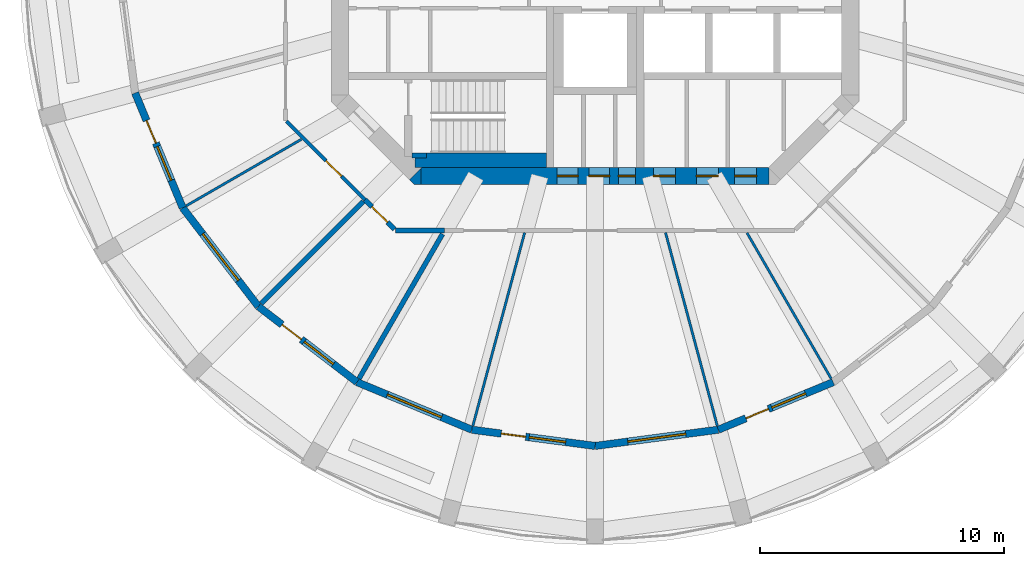
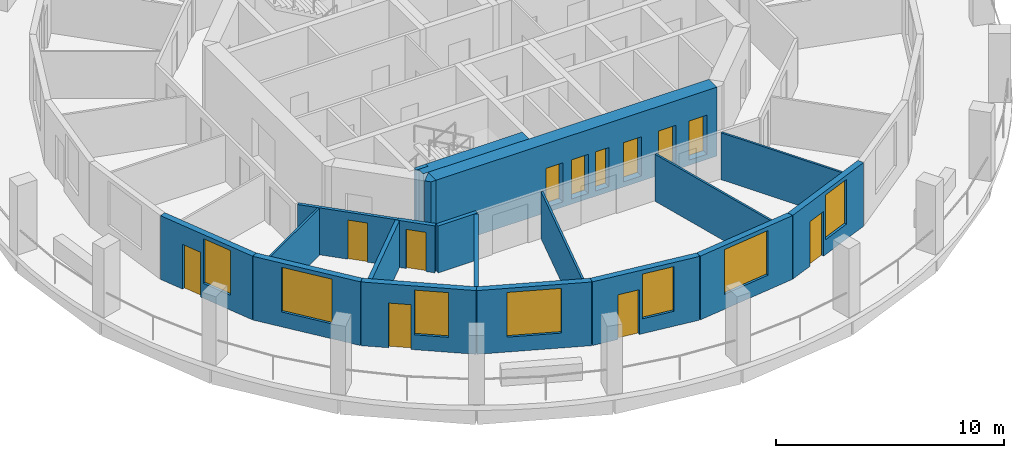
# One storey, part 2 of 9: 20 walls, 12 doors, 7 windows, 19 openings.
"""IFC4 building model written with IfcOpenShell, lengths in metres."""

from ifc_helpers import new_model, si_unit, direction, frame, frame_2d, origin, place, context, subcontext, project, spatial, polyline, rectangle, outline, extrude, material, layer, layer_set, type_object, element, fill, save


model = new_model("IFC4")

# Units and contexts
model_context = context("Model", 3, precision=1e-05, world=origin(), true_north=direction((0.0, 1.0)))
body_context = subcontext(model_context, "Body", "Model", "MODEL_VIEW")
ifc_project = project(units=[si_unit("LENGTHUNIT", "METRE"), si_unit("AREAUNIT", "SQUARE_METRE"), si_unit("VOLUMEUNIT", "CUBIC_METRE"), si_unit("PLANEANGLEUNIT", "RADIAN"), si_unit("MASSUNIT", "GRAM", prefix="KILO")], contexts=[model_context])

# Site, building, storey
site_placement = place(None, origin())
site = spatial("IfcSite", under=ifc_project, at=site_placement, CompositionType="ELEMENT")
building_placement = place(site_placement, origin())
building = spatial("IfcBuilding", under=site, at=building_placement, Name="Torre Triforio", CompositionType="ELEMENT")
storey_placement = place(building_placement, frame((0.0, 0.0, 215.0)))
storey = spatial("IfcBuildingStorey", under=building, at=storey_placement, Name="L49", CompositionType="ELEMENT", Elevation=215.0)

# Wall, openings, doors
ifc_material_1 = material(Name="Concrete C50", Category="concrete")
ifc_layer_1 = layer(ifc_material_1, 0.699951171875)
ifc_layer_set_1 = layer_set([ifc_layer_1], Name="Concrete C50")
wall_type_1 = type_object("IfcWallType", Name="Core wall 700 mm C50 EI 120", PredefinedType="SHEAR", material=ifc_layer_set_1)
wall_1_placement = place(storey_placement, frame((-7.1298828125, -8.449951171875, -0.280029296875), z_axis=(0.0, 0.0, 1.0), x_axis=(1.0, 0.0, 0.0)))
wall_1 = element("IfcWall", 1, at=wall_1_placement, inside=storey, type_object=wall_type_1, Name="Core wall", PredefinedType="SHEAR", context=body_context, shape_type="SweptSolid", body=[
    extrude(rectangle(XDim=14.259765625, YDim=0.699951171875, at=frame_2d((7.1298828125, 0.0))), origin(), (0.0, 0.0, 1.0), 3.699951171875),
])
opening_1_placement = place(wall_1_placement, frame((8.080078125, 0.0, 0.280029296875)))
opening_1 = element("IfcOpeningElement", 2, at=opening_1_placement, cuts=wall_1, Name="Opening RISER-S", PredefinedType="OPENING", context=body_context, shape_type="SweptSolid", body=[
    extrude(rectangle(XDim=0.699951171875, YDim=2.10009765625, at=frame_2d((0.35009765625, 1.050048828125))), frame((0.0, 0.35986328125, 0.0), z_axis=(0.0, -1.0, 0.0), x_axis=(1.0, 0.0, 0.0)), (0.0, 0.0, 1.0), 0.719970703125),
])
opening_2_placement = place(wall_1_placement, frame((5.580078125, 0.0, 0.280029296875)))
opening_2 = element("IfcOpeningElement", 3, at=opening_2_placement, cuts=wall_1, Name="Opening SW-01A", PredefinedType="OPENING", context=body_context, shape_type="SweptSolid", body=[
    extrude(rectangle(XDim=0.85009765625, YDim=2.10009765625, at=frame_2d((0.425048828125, 1.050048828125))), frame((0.0, 0.35986328125, 0.0), z_axis=(0.0, -1.0, 0.0), x_axis=(1.0, 0.0, 0.0)), (0.0, 0.0, 1.0), 0.719970703125),
])
opening_3_placement = place(wall_1_placement, frame((6.8798828125, 0.0, 0.280029296875)))
opening_3 = element("IfcOpeningElement", 4, at=opening_3_placement, cuts=wall_1, Name="Opening SW-02", PredefinedType="OPENING", context=body_context, shape_type="SweptSolid", body=[
    extrude(rectangle(XDim=0.85009765625, YDim=2.10009765625, at=frame_2d((0.425048828125, 1.050048828125))), frame((0.0, 0.35986328125, 0.0), z_axis=(0.0, -1.0, 0.0), x_axis=(1.0, 0.0, 0.0)), (0.0, 0.0, 1.0), 0.719970703125),
])
opening_4_placement = place(wall_1_placement, frame((9.521484375, 0.0, 0.280029296875)))
opening_4 = element("IfcOpeningElement", 5, at=opening_4_placement, cuts=wall_1, Name="Opening SE-01", PredefinedType="OPENING", context=body_context, shape_type="SweptSolid", body=[
    extrude(rectangle(XDim=0.89990234375, YDim=2.10009765625, at=frame_2d((0.449951171875, 1.050048828125))), frame((0.0, 0.35986328125, 0.0), z_axis=(0.0, -1.0, 0.0), x_axis=(1.0, 0.0, 0.0)), (0.0, 0.0, 1.0), 0.719970703125),
])
opening_5_placement = place(wall_1_placement, frame((11.278076171875, 0.0, 0.280029296875)))
opening_5 = element("IfcOpeningElement", 6, at=opening_5_placement, cuts=wall_1, Name="Opening SE-02", PredefinedType="OPENING", context=body_context, shape_type="SweptSolid", body=[
    extrude(rectangle(XDim=0.89990234375, YDim=2.10009765625, at=frame_2d((0.449951171875, 1.050048828125))), frame((0.0, 0.35986328125, 0.0), z_axis=(0.0, -1.0, 0.0), x_axis=(1.0, 0.0, 0.0)), (0.0, 0.0, 1.0), 0.719970703125),
])
opening_6_placement = place(wall_1_placement, frame((12.840087890625, 0.0, 0.280029296875)))
opening_6 = element("IfcOpeningElement", 7, at=opening_6_placement, cuts=wall_1, Name="Opening SE-03", PredefinedType="OPENING", context=body_context, shape_type="SweptSolid", body=[
    extrude(rectangle(XDim=0.89990234375, YDim=2.10009765625, at=frame_2d((0.449951171875, 1.050048828125))), frame((0.0, 0.35986328125, 0.0), z_axis=(0.0, -1.0, 0.0), x_axis=(1.0, 0.0, 0.0)), (0.0, 0.0, 1.0), 0.719970703125),
])
ifc_material_2 = material(Name="Hollow metal fire door leaf")
door_type_1 = type_object("IfcDoorType", Name="Plant room door 900 x 2100 EI 60", OperationType="NOTDEFINED", PredefinedType="DOOR", material=ifc_material_2)
door_1_placement = place(opening_4_placement, origin())
door_1 = element("IfcDoor", 8, at=door_1_placement, inside=storey, type_object=door_type_1, Name="Core door SE-01", OperationType="SINGLE_SWING_LEFT", OverallHeight=2.10009765625, OverallWidth=0.89990234375, PredefinedType="DOOR", context=body_context, shape_type="SweptSolid", body=[
    extrude(rectangle(XDim=0.89990234375, YDim=2.10009765625, at=frame_2d((0.449951171875, 1.050048828125))), frame((0.0, 0.02490234375, 0.0), z_axis=(0.0, -1.0, 0.0), x_axis=(1.0, 0.0, 0.0)), (0.0, 0.0, 1.0), 0.050048828125),
])
fill(opening_4, door_1)
door_type_2 = type_object("IfcDoorType", Name="Riser door 700 x 2100 EI 60", OperationType="NOTDEFINED", PredefinedType="DOOR", material=ifc_material_2)
door_2_placement = place(opening_1_placement, origin())
door_2 = element("IfcDoor", 9, at=door_2_placement, inside=storey, type_object=door_type_2, Name="Core door RISER-S", OperationType="SINGLE_SWING_RIGHT", OverallHeight=2.10009765625, OverallWidth=0.699951171875, PredefinedType="DOOR", context=body_context, shape_type="SweptSolid", body=[
    extrude(rectangle(XDim=0.699951171875, YDim=2.10009765625, at=frame_2d((0.35009765625, 1.050048828125))), frame((0.0, 0.02490234375, 0.0), z_axis=(0.0, -1.0, 0.0), x_axis=(1.0, 0.0, 0.0)), (0.0, 0.0, 1.0), 0.050048828125),
])
fill(opening_1, door_2)
door_type_3 = type_object("IfcDoorType", Name="Room door 850 x 2100 EI 60", OperationType="NOTDEFINED", PredefinedType="DOOR", material=ifc_material_2)
door_3_placement = place(opening_2_placement, origin())
door_3 = element("IfcDoor", 10, at=door_3_placement, inside=storey, type_object=door_type_3, Name="Core door SW-01", OperationType="SINGLE_SWING_RIGHT", OverallHeight=2.10009765625, OverallWidth=0.85009765625, PredefinedType="DOOR", context=body_context, shape_type="SweptSolid", body=[
    extrude(rectangle(XDim=0.85009765625, YDim=2.10009765625, at=frame_2d((0.425048828125, 1.050048828125))), frame((0.0, 0.02490234375, 0.0), z_axis=(0.0, -1.0, 0.0), x_axis=(1.0, 0.0, 0.0)), (0.0, 0.0, 1.0), 0.050048828125),
])
fill(opening_2, door_3)
door_4_placement = place(opening_3_placement, origin())
door_4 = element("IfcDoor", 11, at=door_4_placement, inside=storey, type_object=door_type_3, Name="Core door SW-02", OperationType="SINGLE_SWING_LEFT", OverallHeight=2.10009765625, OverallWidth=0.85009765625, PredefinedType="DOOR", context=body_context, shape_type="SweptSolid", body=[
    extrude(rectangle(XDim=0.85009765625, YDim=2.10009765625, at=frame_2d((0.425048828125, 1.050048828125))), frame((0.0, 0.02490234375, 0.0), z_axis=(0.0, -1.0, 0.0), x_axis=(1.0, 0.0, 0.0)), (0.0, 0.0, 1.0), 0.050048828125),
])
fill(opening_3, door_4)
door_type_4 = type_object("IfcDoorType", Name="Room door 900 x 2100 EI 60", OperationType="NOTDEFINED", PredefinedType="DOOR", material=ifc_material_2)
door_5_placement = place(opening_5_placement, origin())
door_5 = element("IfcDoor", 12, at=door_5_placement, inside=storey, type_object=door_type_4, Name="Core door SE-02", OperationType="SINGLE_SWING_LEFT", OverallHeight=2.10009765625, OverallWidth=0.89990234375, PredefinedType="DOOR", context=body_context, shape_type="SweptSolid", body=[
    extrude(rectangle(XDim=0.89990234375, YDim=2.10009765625, at=frame_2d((0.449951171875, 1.050048828125))), frame((0.0, 0.02490234375, 0.0), z_axis=(0.0, -1.0, 0.0), x_axis=(1.0, 0.0, 0.0)), (0.0, 0.0, 1.0), 0.050048828125),
])
fill(opening_5, door_5)
door_6_placement = place(opening_6_placement, origin())
door_6 = element("IfcDoor", 13, at=door_6_placement, inside=storey, type_object=door_type_4, Name="Core door SE-03", OperationType="SINGLE_SWING_LEFT", OverallHeight=2.10009765625, OverallWidth=0.89990234375, PredefinedType="DOOR", context=body_context, shape_type="SweptSolid", body=[
    extrude(rectangle(XDim=0.89990234375, YDim=2.10009765625, at=frame_2d((0.449951171875, 1.050048828125))), frame((0.0, 0.02490234375, 0.0), z_axis=(0.0, -1.0, 0.0), x_axis=(1.0, 0.0, 0.0)), (0.0, 0.0, 1.0), 0.050048828125),
])
fill(opening_6, door_6)

# Wall
wall_2_placement = place(storey_placement, frame((0.0, 0.0, -0.280029296875)))
element("IfcWall", 14, at=wall_2_placement, inside=storey, type_object=wall_type_1, Name="Core wall", PredefinedType="SHEAR", context=body_context, shape_type="SweptSolid", body=[
    extrude(outline(polyline([(-7.389892578125, -8.800048828125), (-7.594970703125, -8.594970703125), (-7.594970703125, -8.594970703125), (-7.594970703125, -8.594970703125), (-7.1298828125, -8.1298828125), (-7.1298828125, -8.800048828125), (-7.1298828125, -8.800048828125), (-7.389892578125, -8.800048828125)])), origin(), (0.0, 0.0, 1.0), 3.699951171875),
])

# Wall, opening, door
ifc_material_3 = material(Name="Plasterboard on metal studs")
ifc_layer_2 = layer(ifc_material_3, 0.14990234375)
ifc_layer_set_2 = layer_set([ifc_layer_2], Name="Plasterboard on metal studs")
wall_type_2 = type_object("IfcWallType", Name="Corridor and tenancy wall 150 mm EI 60", PredefinedType="PARTITIONING", material=ifc_layer_set_2)
wall_3_placement = place(storey_placement, frame((-9.4208984375, -9.4208984375, 0.0), z_axis=(0.0, 0.0, 1.0), x_axis=(-0.707079950597, 0.707133610758, 0.0)))
wall_3 = element("IfcWall", 15, at=wall_3_placement, inside=storey, type_object=wall_type_2, Name="Partition 5", PredefinedType="PARTITIONING", context=body_context, shape_type="SweptSolid", body=[
    extrude(rectangle(XDim=4.5498046875, YDim=0.14990234375, at=frame_2d((2.27490234375, 0.0))), origin(), (0.0, 0.0, 1.0), 2.52001953125),
])
opening_7_placement = place(wall_3_placement, frame((1.36083984375, 0.0, 0.0)))
opening_7 = element("IfcOpeningElement", 16, at=opening_7_placement, cuts=wall_3, Name="Opening O6-15", PredefinedType="OPENING", context=body_context, shape_type="SweptSolid", body=[
    extrude(rectangle(XDim=0.89990234375, YDim=2.10009765625, at=frame_2d((0.449951171875, 1.050048828125))), frame((0.0, 0.0849609375, 0.0), z_axis=(0.0, -1.0, 0.0), x_axis=(1.0, 0.0, 0.0)), (0.0, 0.0, 1.0), 0.169921875),
])
ifc_material_4 = material(Name="Timber", Category="wood")
door_type_5 = type_object("IfcDoorType", Name="Door 900 x 2100 single leaf EI 30", OperationType="NOTDEFINED", PredefinedType="DOOR", material=ifc_material_4)
door_7_placement = place(opening_7_placement, origin())
door_7 = element("IfcDoor", 17, at=door_7_placement, inside=storey, type_object=door_type_5, Name="Door O6-15", OperationType="SINGLE_SWING_LEFT", OverallHeight=2.10009765625, OverallWidth=0.89990234375, PredefinedType="DOOR", context=body_context, shape_type="SweptSolid", body=[
    extrude(rectangle(XDim=0.89990234375, YDim=2.10009765625, at=frame_2d((0.449951171875, 1.050048828125))), frame((0.0, 0.02490234375, 0.0), z_axis=(0.0, -1.0, 0.0), x_axis=(1.0, 0.0, 0.0)), (0.0, 0.0, 1.0), 0.050048828125),
])
fill(opening_7, door_7)

# Walls
ifc_layer_3 = layer(ifc_material_3, 0.10009765625)
ifc_layer_set_3 = layer_set([ifc_layer_3], Name="Plasterboard on metal studs")
wall_type_3 = type_object("IfcWallType", Name="Partition 100 mm board on metal studs", PredefinedType="PARTITIONING", material=ifc_layer_set_3)
wall_4_placement = place(storey_placement, frame((-12.025146484375, -6.94287109375, 0.0), z_axis=(0.0, 0.0, 1.0), x_axis=(-0.866029712004, -0.499992537871, 0.0)))
element("IfcWall", 18, at=wall_4_placement, inside=storey, type_object=wall_type_3, Name="Partition 20", PredefinedType="PARTITIONING", context=body_context, shape_type="SweptSolid", body=[
    extrude(rectangle(XDim=5.451171875, YDim=0.10009765625, at=frame_2d((2.7255859375, 0.0))), origin(), (0.0, 0.0, 1.0), 2.52001953125),
])
for number, where, z_axis, x_axis, name in (
    (19, (-2.88427734375, -10.764404296875, 0.0), (0.0, 0.0, 1.0), (-0.258818011497, -0.965926103242, 0.0), "Partition 23"),
    (20, (2.88427734375, -10.764404296875, 0.0), (0.0, 0.0, 1.0), (0.258818011497, -0.965926103242, 0.0), "Partition 24"),
):
    element("IfcWall", number, at=place(storey_placement, frame(where, z_axis=z_axis, x_axis=x_axis)), inside=storey, type_object=wall_type_3, Name=name, PredefinedType="PARTITIONING", context=body_context, shape_type="SweptSolid", body=[
        extrude(rectangle(XDim=8.1923828125, YDim=0.10009765625, at=frame_2d((4.09619140625, 0.0))), origin(), (0.0, 0.0, 1.0), 2.52001953125),
    ])
wall_5_placement = place(storey_placement, frame((6.220703125, -10.774658203125, 0.0), z_axis=(0.0, 0.0, 1.0), x_axis=(0.500015661236, -0.866016361577, 0.0)))
element("IfcWall", 21, at=wall_5_placement, inside=storey, type_object=wall_type_3, Name="Partition 25", PredefinedType="PARTITIONING", context=body_context, shape_type="SweptSolid", body=[
    extrude(rectangle(XDim=6.895263671875, YDim=0.10009765625, at=frame_2d((3.44775390625, 0.0))), origin(), (0.0, 0.0, 1.0), 2.52001953125),
])
ifc_material_5 = material(Name="Masonry block", Category="masonry")
ifc_layer_4 = layer(ifc_material_5, 0.199951171875)
ifc_layer_set_4 = layer_set([ifc_layer_4], Name="Masonry block")
wall_type_4 = type_object("IfcWallType", Name="Plant room wall 200 mm block EI 120", PredefinedType="PARTITIONING", material=ifc_layer_set_4)
wall_6_placement = place(storey_placement, frame((-6.1630859375, -10.675048828125, 0.0), z_axis=(0.0, 0.0, 1.0), x_axis=(-1.0, 0.0, 0.0)))
element("IfcWall", 22, at=wall_6_placement, inside=storey, type_object=wall_type_4, Name="Partition 3", PredefinedType="PARTITIONING", context=body_context, shape_type="SweptSolid", body=[
    extrude(rectangle(XDim=2.00341796875, YDim=0.199951171875, at=frame_2d((1.001708984375, 0.0))), origin(), (0.0, 0.0, 1.0), 2.52001953125),
])

# Wall, opening, door
wall_7_placement = place(storey_placement, frame((-8.216064453125, -10.62548828125, 0.0), z_axis=(0.0, 0.0, 1.0), x_axis=(-0.70717842684, 0.707035128273, 0.0)))
wall_7 = element("IfcWall", 23, at=wall_7_placement, inside=storey, type_object=wall_type_4, Name="Partition 4", PredefinedType="PARTITIONING", context=body_context, shape_type="SweptSolid", body=[
    extrude(rectangle(XDim=1.70361328125, YDim=0.199951171875, at=frame_2d((0.851806640625, 0.0))), origin(), (0.0, 0.0, 1.0), 2.52001953125),
])
opening_8_placement = place(wall_7_placement, frame((0.40185546875, 0.0, 0.0)))
opening_8 = element("IfcOpeningElement", 24, at=opening_8_placement, cuts=wall_7, Name="Opening O6-16", PredefinedType="OPENING", context=body_context, shape_type="SweptSolid", body=[
    extrude(rectangle(XDim=0.89990234375, YDim=2.10009765625, at=frame_2d((0.449951171875, 1.050048828125))), frame((0.0, 0.10986328125, 0.0), z_axis=(0.0, -1.0, 0.0), x_axis=(1.0, 0.0, 0.0)), (0.0, 0.0, 1.0), 0.219970703125),
])
door_type_6 = type_object("IfcDoorType", Name="Door 900 x 2100 single leaf EI 60", OperationType="NOTDEFINED", PredefinedType="DOOR", material=ifc_material_2)
door_8_placement = place(opening_8_placement, origin())
door_8 = element("IfcDoor", 25, at=door_8_placement, inside=storey, type_object=door_type_6, Name="Door O6-16", OperationType="SINGLE_SWING_LEFT", OverallHeight=2.10009765625, OverallWidth=0.89990234375, PredefinedType="DOOR", context=body_context, shape_type="SweptSolid", body=[
    extrude(rectangle(XDim=0.89990234375, YDim=2.10009765625, at=frame_2d((0.449951171875, 1.050048828125))), frame((0.0, 0.02490234375, 0.0), z_axis=(0.0, -1.0, 0.0), x_axis=(1.0, 0.0, 0.0)), (0.0, 0.0, 1.0), 0.050048828125),
])
fill(opening_8, door_8)

# Walls
wall_8_placement = place(storey_placement, frame((-9.491455078125, -9.491455078125, 0.0), z_axis=(0.0, 0.0, 1.0), x_axis=(-0.707106781187, -0.707106781187, 0.0)))
element("IfcWall", 26, at=wall_8_placement, inside=storey, type_object=wall_type_4, Name="Partition 21", PredefinedType="PARTITIONING", context=body_context, shape_type="SweptSolid", body=[
    extrude(rectangle(XDim=5.913818359375, YDim=0.199951171875, at=frame_2d((2.95703125, 0.0))), origin(), (0.0, 0.0, 1.0), 2.52001953125),
])
wall_9_placement = place(storey_placement, frame((-6.24951171875, -10.824462890625, 0.0), z_axis=(0.0, 0.0, 1.0), x_axis=(-0.500009887181, -0.866019695343, 0.0)))
element("IfcWall", 27, at=wall_9_placement, inside=storey, type_object=wall_type_4, Name="Partition 22", PredefinedType="PARTITIONING", context=body_context, shape_type="SweptSolid", body=[
    extrude(rectangle(XDim=6.837646484375, YDim=0.199951171875, at=frame_2d((3.4189453125, 0.0))), origin(), (0.0, 0.0, 1.0), 2.52001953125),
])
ifc_layer_5 = layer(ifc_material_1, 0.199951171875)
ifc_layer_set_5 = layer_set([ifc_layer_5], Name="Concrete C50")
wall_type_5 = type_object("IfcWallType", Name="Stair wall 200 mm C50 EI 120", PredefinedType="SHEAR", material=ifc_layer_set_5)
wall_10_placement = place(storey_placement, frame((-7.5, -7.60009765625, 0.0), z_axis=(0.0, 0.0, 1.0), x_axis=(1.0, 0.0, 0.0)))
element("IfcWall", 28, at=wall_10_placement, inside=storey, type_object=wall_type_5, Name="Stair wall", PredefinedType="SHEAR", context=body_context, shape_type="SweptSolid", body=[
    extrude(rectangle(XDim=0.60009765625, YDim=0.199951171875, at=frame_2d((0.300048828125, 0.0))), origin(), (0.0, 0.0, 1.0), 3.419921875),
])
ifc_layer_6 = layer(ifc_material_1, 0.60009765625)
ifc_layer_set_6 = layer_set([ifc_layer_6], Name="Concrete C50")
wall_type_6 = type_object("IfcWallType", Name="Stair wall 600 mm C50 EI 120", PredefinedType="SHEAR", material=ifc_layer_set_6)
wall_11_placement = place(storey_placement, frame((-7.3701171875, -7.800048828125, 0.0), z_axis=(0.0, 0.0, 1.0), x_axis=(1.0, 0.0, 0.0)))
element("IfcWall", 29, at=wall_11_placement, inside=storey, type_object=wall_type_6, Name="Stair wall", PredefinedType="SHEAR", context=body_context, shape_type="SweptSolid", body=[
    extrude(rectangle(XDim=5.3701171875, YDim=0.60009765625, at=frame_2d((2.68505859375, 0.0))), origin(), (0.0, 0.0, 1.0), 3.419921875),
])

# Wall, openings, door, window
ifc_material_6 = material(Name="Limestone cladding", Category="masonry")
ifc_layer_7 = layer(ifc_material_6, 0.10009765625)
ifc_material_7 = material(Name="Concrete C40", Category="concrete")
ifc_layer_8 = layer(ifc_material_7, 0.199951171875)
ifc_layer_set_7 = layer_set([ifc_layer_7, ifc_layer_8], Name="Limestone cladding / Concrete C40")
wall_type_7 = type_object("IfcWallType", Name="Stone-faced composite wall 300", PredefinedType="STANDARD", material=ifc_layer_set_7)
wall_12_placement = place(storey_placement, frame((-18.835693359375, -5.047119140625, 0.0), z_axis=(0.0, 0.0, 1.0), x_axis=(0.382724538613, -0.923862504675, 0.0)))
wall_12 = element("IfcWall", 30, at=wall_12_placement, inside=storey, type_object=wall_type_7, Name="External wall L49 bay 14", PredefinedType="STANDARD", context=body_context, shape_type="SweptSolid", body=[
    extrude(rectangle(XDim=5.090576171875, YDim=0.300048828125, at=frame_2d((2.54541015625, 0.0))), origin(), (0.0, 0.0, 1.0), 3.419921875),
])
opening_9_placement = place(wall_12_placement, frame((1.22021484375, 0.0, 0.0)))
opening_9 = element("IfcOpeningElement", 31, at=opening_9_placement, cuts=wall_12, Name="Opening O6-D14", PredefinedType="OPENING", context=body_context, shape_type="SweptSolid", body=[
    extrude(rectangle(XDim=1.0, YDim=2.39990234375, at=frame_2d((0.5, 1.199951171875))), frame((0.0, 0.159912109375, 0.0), z_axis=(0.0, -1.0, 0.0), x_axis=(1.0, 0.0, 0.0)), (0.0, 0.0, 1.0), 0.320068359375),
])
opening_10_placement = place(wall_12_placement, frame((2.370361328125, 0.0, 0.800048828125)))
opening_10 = element("IfcOpeningElement", 32, at=opening_10_placement, cuts=wall_12, Name="Opening O6-W14A", PredefinedType="OPENING", context=body_context, shape_type="SweptSolid", body=[
    extrude(rectangle(XDim=1.5, YDim=2.39990234375, at=frame_2d((0.75, 1.199951171875))), frame((0.0, 0.159912109375, 0.0), z_axis=(0.0, -1.0, 0.0), x_axis=(1.0, 0.0, 0.0)), (0.0, 0.0, 1.0), 0.320068359375),
])
ifc_material_8 = material(Name="Aluminium frame with clear double glazing", Category="aluminium")
door_type_7 = type_object("IfcDoorType", Name="Loggia door 1000 x 2400", OperationType="NOTDEFINED", PredefinedType="DOOR", material=ifc_material_8)
door_9_placement = place(opening_9_placement, origin())
door_9 = element("IfcDoor", 33, at=door_9_placement, inside=storey, type_object=door_type_7, Name="Loggia door L49 bay 14", OperationType="SINGLE_SWING_LEFT", OverallHeight=2.39990234375, OverallWidth=1.0, PredefinedType="DOOR", context=body_context, shape_type="SweptSolid", body=[
    extrude(rectangle(XDim=1.0, YDim=2.39990234375, at=frame_2d((0.5, 1.199951171875))), frame((0.0, 0.02490234375, 0.0), z_axis=(0.0, -1.0, 0.0), x_axis=(1.0, 0.0, 0.0)), (0.0, 0.0, 1.0), 0.050048828125),
])
fill(opening_9, door_9)
window_type_1 = type_object("IfcWindowType", Name="Side window 1500 x 2400", PartitioningType="SINGLE_PANEL", PredefinedType="WINDOW", material=ifc_material_8)
window_1_placement = place(opening_10_placement, origin())
window_1 = element("IfcWindow", 34, at=window_1_placement, inside=storey, type_object=window_type_1, Name="Side window EWN14 L49 bay 14", OverallHeight=2.39990234375, OverallWidth=1.5, PartitioningType="SINGLE_PANEL", PredefinedType="WINDOW", context=body_context, shape_type="SweptSolid", body=[
    extrude(rectangle(XDim=1.5, YDim=2.39990234375, at=frame_2d((0.75, 1.199951171875))), frame((0.0, 0.030029296875, 0.0), z_axis=(0.0, -1.0, 0.0), x_axis=(1.0, 0.0, 0.0)), (0.0, 0.0, 1.0), 0.06005859375),
])
fill(opening_10, window_1)

# Wall, opening, window
wall_13_placement = place(storey_placement, frame((-16.887451171875, -9.75, 0.0), z_axis=(0.0, 0.0, 1.0), x_axis=(0.608757714995, -0.79335619014, 0.0)))
wall_13 = element("IfcWall", 35, at=wall_13_placement, inside=storey, type_object=wall_type_7, Name="External wall L49 bay 15", PredefinedType="STANDARD", context=body_context, shape_type="SweptSolid", body=[
    extrude(rectangle(XDim=5.090576171875, YDim=0.300048828125, at=frame_2d((2.54541015625, 0.0))), origin(), (0.0, 0.0, 1.0), 3.419921875),
])
opening_11_placement = place(wall_13_placement, frame((1.34521484375, 0.0, 0.800048828125)))
opening_11 = element("IfcOpeningElement", 36, at=opening_11_placement, cuts=wall_13, Name="Opening O6-W15", PredefinedType="OPENING", context=body_context, shape_type="SweptSolid", body=[
    extrude(rectangle(XDim=2.39990234375, YDim=2.39990234375, at=frame_2d((1.199951171875, 1.199951171875))), frame((0.0, 0.159912109375, 0.0), z_axis=(0.0, -1.0, 0.0), x_axis=(1.0, 0.0, 0.0)), (0.0, 0.0, 1.0), 0.320068359375),
])
window_type_2 = type_object("IfcWindowType", Name="Punched window 2400 x 2400", PartitioningType="DOUBLE_PANEL_VERTICAL", PredefinedType="WINDOW", material=ifc_material_8)
window_2_placement = place(opening_11_placement, origin())
window_2 = element("IfcWindow", 37, at=window_2_placement, inside=storey, type_object=window_type_2, Name="Window EWN4 L49 bay 15", OverallHeight=2.39990234375, OverallWidth=2.39990234375, PartitioningType="SINGLE_PANEL", PredefinedType="WINDOW", context=body_context, shape_type="SweptSolid", body=[
    extrude(rectangle(XDim=2.39990234375, YDim=2.39990234375, at=frame_2d((1.199951171875, 1.199951171875))), frame((0.0, 0.030029296875, 0.0), z_axis=(0.0, -1.0, 0.0), x_axis=(1.0, 0.0, 0.0)), (0.0, 0.0, 1.0), 0.06005859375),
])
fill(opening_11, window_2)

# Wall, openings, door, window
wall_14_placement = place(storey_placement, frame((-13.78857421875, -13.78857421875, 0.0), z_axis=(0.0, 0.0, 1.0), x_axis=(0.79335619014, -0.608757714995, 0.0)))
wall_14 = element("IfcWall", 38, at=wall_14_placement, inside=storey, type_object=wall_type_7, Name="External wall L49 bay 16", PredefinedType="STANDARD", context=body_context, shape_type="SweptSolid", body=[
    extrude(rectangle(XDim=5.090576171875, YDim=0.300048828125, at=frame_2d((2.54541015625, 0.0))), origin(), (0.0, 0.0, 1.0), 3.419921875),
])
opening_12_placement = place(wall_14_placement, frame((1.22021484375, 0.0, 0.0)))
opening_12 = element("IfcOpeningElement", 39, at=opening_12_placement, cuts=wall_14, Name="Opening O6-D16", PredefinedType="OPENING", context=body_context, shape_type="SweptSolid", body=[
    extrude(rectangle(XDim=1.0, YDim=2.39990234375, at=frame_2d((0.5, 1.199951171875))), frame((0.0, 0.159912109375, 0.0), z_axis=(0.0, -1.0, 0.0), x_axis=(1.0, 0.0, 0.0)), (0.0, 0.0, 1.0), 0.320068359375),
])
opening_13_placement = place(wall_14_placement, frame((2.370361328125, 0.0, 0.800048828125)))
opening_13 = element("IfcOpeningElement", 40, at=opening_13_placement, cuts=wall_14, Name="Opening O6-W16A", PredefinedType="OPENING", context=body_context, shape_type="SweptSolid", body=[
    extrude(rectangle(XDim=1.5, YDim=2.39990234375, at=frame_2d((0.75, 1.199951171875))), frame((0.0, 0.159912109375, 0.0), z_axis=(0.0, -1.0, 0.0), x_axis=(1.0, 0.0, 0.0)), (0.0, 0.0, 1.0), 0.320068359375),
])
door_10_placement = place(opening_12_placement, origin())
door_10 = element("IfcDoor", 41, at=door_10_placement, inside=storey, type_object=door_type_7, Name="Loggia door L49 bay 16", OperationType="SINGLE_SWING_LEFT", OverallHeight=2.39990234375, OverallWidth=1.0, PredefinedType="DOOR", context=body_context, shape_type="SweptSolid", body=[
    extrude(rectangle(XDim=1.0, YDim=2.39990234375, at=frame_2d((0.5, 1.199951171875))), frame((0.0, 0.02490234375, 0.0), z_axis=(0.0, -1.0, 0.0), x_axis=(1.0, 0.0, 0.0)), (0.0, 0.0, 1.0), 0.050048828125),
])
fill(opening_12, door_10)
window_3_placement = place(opening_13_placement, origin())
window_3 = element("IfcWindow", 42, at=window_3_placement, inside=storey, type_object=window_type_1, Name="Side window EWN14 L49 bay 16", OverallHeight=2.39990234375, OverallWidth=1.5, PartitioningType="SINGLE_PANEL", PredefinedType="WINDOW", context=body_context, shape_type="SweptSolid", body=[
    extrude(rectangle(XDim=1.5, YDim=2.39990234375, at=frame_2d((0.75, 1.199951171875))), frame((0.0, 0.030029296875, 0.0), z_axis=(0.0, -1.0, 0.0), x_axis=(1.0, 0.0, 0.0)), (0.0, 0.0, 1.0), 0.06005859375),
])
fill(opening_13, window_3)

# Wall, opening, window
wall_15_placement = place(storey_placement, frame((-9.75, -16.887451171875, 0.0), z_axis=(0.0, 0.0, 1.0), x_axis=(0.923862504675, -0.382724538613, 0.0)))
wall_15 = element("IfcWall", 43, at=wall_15_placement, inside=storey, type_object=wall_type_7, Name="External wall L49 bay 17", PredefinedType="STANDARD", context=body_context, shape_type="SweptSolid", body=[
    extrude(rectangle(XDim=5.090576171875, YDim=0.300048828125, at=frame_2d((2.54541015625, 0.0))), origin(), (0.0, 0.0, 1.0), 3.419921875),
])
opening_14_placement = place(wall_15_placement, frame((1.34521484375, 0.0, 0.800048828125)))
opening_14 = element("IfcOpeningElement", 44, at=opening_14_placement, cuts=wall_15, Name="Opening O6-W17", PredefinedType="OPENING", context=body_context, shape_type="SweptSolid", body=[
    extrude(rectangle(XDim=2.39990234375, YDim=2.39990234375, at=frame_2d((1.199951171875, 1.199951171875))), frame((0.0, 0.159912109375, 0.0), z_axis=(0.0, -1.0, 0.0), x_axis=(1.0, 0.0, 0.0)), (0.0, 0.0, 1.0), 0.320068359375),
])
window_4_placement = place(opening_14_placement, origin())
window_4 = element("IfcWindow", 45, at=window_4_placement, inside=storey, type_object=window_type_2, Name="Window EWN4 L49 bay 17", OverallHeight=2.39990234375, OverallWidth=2.39990234375, PartitioningType="SINGLE_PANEL", PredefinedType="WINDOW", context=body_context, shape_type="SweptSolid", body=[
    extrude(rectangle(XDim=2.39990234375, YDim=2.39990234375, at=frame_2d((1.199951171875, 1.199951171875))), frame((0.0, 0.030029296875, 0.0), z_axis=(0.0, -1.0, 0.0), x_axis=(1.0, 0.0, 0.0)), (0.0, 0.0, 1.0), 0.06005859375),
])
fill(opening_14, window_4)

# Wall, openings, door, window
wall_16_placement = place(storey_placement, frame((-5.047119140625, -18.835693359375, 0.0), z_axis=(0.0, 0.0, 1.0), x_axis=(0.99144890792, -0.130495451964, 0.0)))
wall_16 = element("IfcWall", 46, at=wall_16_placement, inside=storey, type_object=wall_type_7, Name="External wall L49 bay 18", PredefinedType="STANDARD", context=body_context, shape_type="SweptSolid", body=[
    extrude(rectangle(XDim=5.090576171875, YDim=0.300048828125, at=frame_2d((2.54541015625, 0.0))), origin(), (0.0, 0.0, 1.0), 3.419921875),
])
opening_15_placement = place(wall_16_placement, frame((1.22021484375, 0.0, 0.0)))
opening_15 = element("IfcOpeningElement", 47, at=opening_15_placement, cuts=wall_16, Name="Opening O6-D18", PredefinedType="OPENING", context=body_context, shape_type="SweptSolid", body=[
    extrude(rectangle(XDim=1.0, YDim=2.39990234375, at=frame_2d((0.5, 1.199951171875))), frame((0.0, 0.159912109375, 0.0), z_axis=(0.0, -1.0, 0.0), x_axis=(1.0, 0.0, 0.0)), (0.0, 0.0, 1.0), 0.320068359375),
])
opening_16_placement = place(wall_16_placement, frame((2.370361328125, 0.0, 0.800048828125)))
opening_16 = element("IfcOpeningElement", 48, at=opening_16_placement, cuts=wall_16, Name="Opening O6-W18A", PredefinedType="OPENING", context=body_context, shape_type="SweptSolid", body=[
    extrude(rectangle(XDim=1.5, YDim=2.39990234375, at=frame_2d((0.75, 1.199951171875))), frame((0.0, 0.159912109375, 0.0), z_axis=(0.0, -1.0, 0.0), x_axis=(1.0, 0.0, 0.0)), (0.0, 0.0, 1.0), 0.320068359375),
])
door_11_placement = place(opening_15_placement, origin())
door_11 = element("IfcDoor", 49, at=door_11_placement, inside=storey, type_object=door_type_7, Name="Loggia door L49 bay 18", OperationType="SINGLE_SWING_LEFT", OverallHeight=2.39990234375, OverallWidth=1.0, PredefinedType="DOOR", context=body_context, shape_type="SweptSolid", body=[
    extrude(rectangle(XDim=1.0, YDim=2.39990234375, at=frame_2d((0.5, 1.199951171875))), frame((0.0, 0.02490234375, 0.0), z_axis=(0.0, -1.0, 0.0), x_axis=(1.0, 0.0, 0.0)), (0.0, 0.0, 1.0), 0.050048828125),
])
fill(opening_15, door_11)
window_5_placement = place(opening_16_placement, origin())
window_5 = element("IfcWindow", 50, at=window_5_placement, inside=storey, type_object=window_type_1, Name="Side window EWN14 L49 bay 18", OverallHeight=2.39990234375, OverallWidth=1.5, PartitioningType="SINGLE_PANEL", PredefinedType="WINDOW", context=body_context, shape_type="SweptSolid", body=[
    extrude(rectangle(XDim=1.5, YDim=2.39990234375, at=frame_2d((0.75, 1.199951171875))), frame((0.0, 0.030029296875, 0.0), z_axis=(0.0, -1.0, 0.0), x_axis=(1.0, 0.0, 0.0)), (0.0, 0.0, 1.0), 0.06005859375),
])
fill(opening_16, window_5)

# Wall, opening, window
wall_17_placement = place(storey_placement, frame((0.0, -19.5, 0.0), z_axis=(0.0, 0.0, 1.0), x_axis=(0.99144890792, 0.130495451964, 0.0)))
wall_17 = element("IfcWall", 51, at=wall_17_placement, inside=storey, type_object=wall_type_7, Name="External wall L49 bay 19", PredefinedType="STANDARD", context=body_context, shape_type="SweptSolid", body=[
    extrude(rectangle(XDim=5.090576171875, YDim=0.300048828125, at=frame_2d((2.54541015625, 0.0))), origin(), (0.0, 0.0, 1.0), 3.419921875),
])
opening_17_placement = place(wall_17_placement, frame((1.34521484375, 0.0, 0.800048828125)))
opening_17 = element("IfcOpeningElement", 52, at=opening_17_placement, cuts=wall_17, Name="Opening O6-W19", PredefinedType="OPENING", context=body_context, shape_type="SweptSolid", body=[
    extrude(rectangle(XDim=2.39990234375, YDim=2.39990234375, at=frame_2d((1.199951171875, 1.199951171875))), frame((0.0, 0.159912109375, 0.0), z_axis=(0.0, -1.0, 0.0), x_axis=(1.0, 0.0, 0.0)), (0.0, 0.0, 1.0), 0.320068359375),
])
window_6_placement = place(opening_17_placement, origin())
window_6 = element("IfcWindow", 53, at=window_6_placement, inside=storey, type_object=window_type_2, Name="Window EWN4 L49 bay 19", OverallHeight=2.39990234375, OverallWidth=2.39990234375, PartitioningType="SINGLE_PANEL", PredefinedType="WINDOW", context=body_context, shape_type="SweptSolid", body=[
    extrude(rectangle(XDim=2.39990234375, YDim=2.39990234375, at=frame_2d((1.199951171875, 1.199951171875))), frame((0.0, 0.030029296875, 0.0), z_axis=(0.0, -1.0, 0.0), x_axis=(1.0, 0.0, 0.0)), (0.0, 0.0, 1.0), 0.06005859375),
])
fill(opening_17, window_6)

# Wall, openings, door, window
wall_18_placement = place(storey_placement, frame((5.047119140625, -18.835693359375, 0.0), z_axis=(0.0, 0.0, 1.0), x_axis=(0.923862504675, 0.382724538613, 0.0)))
wall_18 = element("IfcWall", 54, at=wall_18_placement, inside=storey, type_object=wall_type_7, Name="External wall L49 bay 20", PredefinedType="STANDARD", context=body_context, shape_type="SweptSolid", body=[
    extrude(rectangle(XDim=5.090576171875, YDim=0.300048828125, at=frame_2d((2.54541015625, 0.0))), origin(), (0.0, 0.0, 1.0), 3.419921875),
])
opening_18_placement = place(wall_18_placement, frame((1.22021484375, 0.0, 0.0)))
opening_18 = element("IfcOpeningElement", 55, at=opening_18_placement, cuts=wall_18, Name="Opening O6-D20", PredefinedType="OPENING", context=body_context, shape_type="SweptSolid", body=[
    extrude(rectangle(XDim=1.0, YDim=2.39990234375, at=frame_2d((0.5, 1.199951171875))), frame((0.0, 0.159912109375, 0.0), z_axis=(0.0, -1.0, 0.0), x_axis=(1.0, 0.0, 0.0)), (0.0, 0.0, 1.0), 0.320068359375),
])
opening_19_placement = place(wall_18_placement, frame((2.370361328125, 0.0, 0.800048828125)))
opening_19 = element("IfcOpeningElement", 56, at=opening_19_placement, cuts=wall_18, Name="Opening O6-W20A", PredefinedType="OPENING", context=body_context, shape_type="SweptSolid", body=[
    extrude(rectangle(XDim=1.5, YDim=2.39990234375, at=frame_2d((0.75, 1.199951171875))), frame((0.0, 0.159912109375, 0.0), z_axis=(0.0, -1.0, 0.0), x_axis=(1.0, 0.0, 0.0)), (0.0, 0.0, 1.0), 0.320068359375),
])
door_12_placement = place(opening_18_placement, origin())
door_12 = element("IfcDoor", 57, at=door_12_placement, inside=storey, type_object=door_type_7, Name="Loggia door L49 bay 20", OperationType="SINGLE_SWING_LEFT", OverallHeight=2.39990234375, OverallWidth=1.0, PredefinedType="DOOR", context=body_context, shape_type="SweptSolid", body=[
    extrude(rectangle(XDim=1.0, YDim=2.39990234375, at=frame_2d((0.5, 1.199951171875))), frame((0.0, 0.02490234375, 0.0), z_axis=(0.0, -1.0, 0.0), x_axis=(1.0, 0.0, 0.0)), (0.0, 0.0, 1.0), 0.050048828125),
])
fill(opening_18, door_12)
window_7_placement = place(opening_19_placement, origin())
window_7 = element("IfcWindow", 58, at=window_7_placement, inside=storey, type_object=window_type_1, Name="Side window EWN14 L49 bay 20", OverallHeight=2.39990234375, OverallWidth=1.5, PartitioningType="SINGLE_PANEL", PredefinedType="WINDOW", context=body_context, shape_type="SweptSolid", body=[
    extrude(rectangle(XDim=1.5, YDim=2.39990234375, at=frame_2d((0.75, 1.199951171875))), frame((0.0, 0.030029296875, 0.0), z_axis=(0.0, -1.0, 0.0), x_axis=(1.0, 0.0, 0.0)), (0.0, 0.0, 1.0), 0.06005859375),
])
fill(opening_19, window_7)

save(model, "model.ifc")
